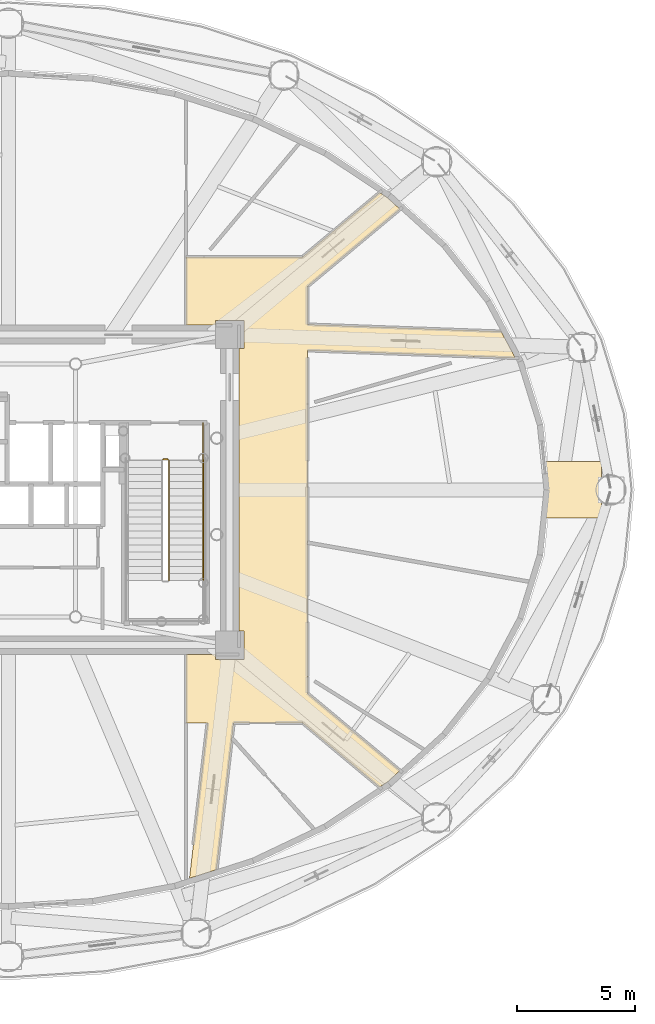
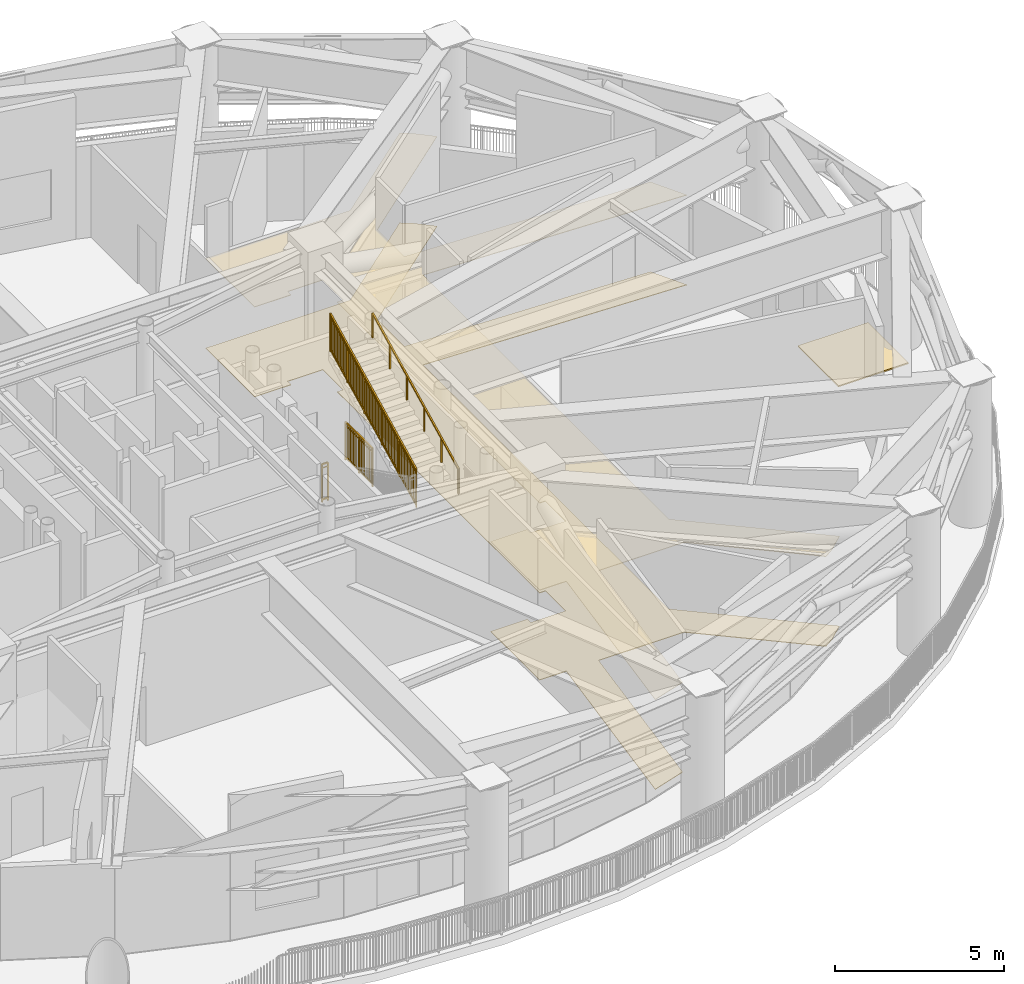
# One storey, part 20 of 20: 4 railings, 3 coverings.
"""IFC4 building model written with IfcOpenShell, lengths in metres."""

from ifc_helpers import new_model, si_unit, direction, frame, origin, origin_2d, place, context, subcontext, project, spatial, polyline, rectangle, outline, extrude, source, transform, mapped, material, layer, layer_set, type_object, element, save


model = new_model("IFC4")

# Units and contexts
model_context = context("Model", 3, precision=1e-05, world=origin(), true_north=direction((0.0, 1.0)))
body_context = subcontext(model_context, "Body", "Model", "MODEL_VIEW")
ifc_project = project(units=[si_unit("LENGTHUNIT", "METRE"), si_unit("AREAUNIT", "SQUARE_METRE"), si_unit("VOLUMEUNIT", "CUBIC_METRE"), si_unit("PLANEANGLEUNIT", "RADIAN"), si_unit("MASSUNIT", "GRAM", prefix="KILO")], contexts=[model_context])

# Site, building, storey
site_placement = place(None, origin())
site = spatial("IfcSite", under=ifc_project, at=site_placement, CompositionType="ELEMENT")
building_placement = place(site_placement, origin())
building = spatial("IfcBuilding", under=site, at=building_placement, Name="Linh Dai School and Residence Tower", CompositionType="ELEMENT")
storey_placement = place(building_placement, frame((0.0, 0.0, 204.89990234375)))
storey = spatial("IfcBuildingStorey", under=building, at=storey_placement, Name="L50", CompositionType="ELEMENT", Elevation=204.89990234375)

# Coverings
ifc_material_1 = material(Name="Mineral Fibre Acoustic Suspended Ceiling", Category="masonry")
ifc_layer_1 = layer(ifc_material_1, 0.02001953125)
ifc_layer_set_1 = layer_set([ifc_layer_1], Name="Mineral Fibre Acoustic Suspended Ceiling")
covering_type_1 = type_object("IfcCoveringType", Name="COV-CEIL-AC-20", PredefinedType="CEILING", material=ifc_layer_set_1)
covering_1_placement = place(storey_placement, frame((0.0, 0.0, 3.25)))
element("IfcCovering", 1, at=covering_1_placement, inside=storey, type_object=covering_type_1, Name="L50 Plant and Refuge Access Corridor East Suspended Ceiling", PredefinedType="CEILING", context=body_context, shape_type="SweptSolid", body=[
    extrude(outline(polyline([(45.569091796875, 17.10009765625), (44.842041015625, 10.86181640625), (43.69140625, 10.4921875), (44.461669921875, 17.10009765625), (43.550048828125, 17.10009765625), (43.550048828125, 20.0), (44.800048828125, 20.0), (44.800048828125, 19.800048828125), (46.0, 19.800048828125), (46.0, 21.0), (45.800048828125, 21.0), (45.800048828125, 33.0), (46.0, 33.0), (46.0, 34.199951171875), (44.800048828125, 34.199951171875), (44.800048828125, 34.0), (43.550048828125, 34.0), (43.550048828125, 36.89990234375), (48.493896484375, 36.89990234375), (51.77001953125, 39.635498046875), (52.1103515625, 39.41015625), (52.640380859375, 38.92919921875), (48.699951171875, 35.638916015625), (48.699951171875, 34.02978515625), (56.9404296875, 33.729248046875), (57.540283203125, 32.606689453125), (48.699951171875, 32.92919921875), (48.699951171875, 18.361083984375), (52.640380859375, 15.07080078125), (52.1103515625, 14.58984375), (51.77001953125, 14.364501953125), (48.493896484375, 17.10009765625), (45.569091796875, 17.10009765625)])), origin(), (0.0, 0.0, 1.0), 0.02001953125),
])
ifc_material_2 = material(Name="Polished Terrazzo Floor Finish", Category="masonry")
ifc_layer_2 = layer(ifc_material_2, 0.02490234375)
ifc_layer_set_2 = layer_set([ifc_layer_2], Name="Polished Terrazzo Floor Finish")
covering_type_2 = type_object("IfcCoveringType", Name="COV-FLR-TRZ-25", PredefinedType="FLOORING", material=ifc_layer_set_2)
covering_2_placement = place(storey_placement, origin())
element("IfcCovering", 2, at=covering_2_placement, inside=storey, type_object=covering_type_2, Name="L50 Plant and Refuge Access Corridor East Floor Finish", PredefinedType="FLOORING", context=body_context, shape_type="SweptSolid", body=[
    extrude(outline(polyline([(45.569091796875, 17.10009765625), (44.842041015625, 10.86181640625), (43.69140625, 10.4921875), (44.461669921875, 17.10009765625), (43.550048828125, 17.10009765625), (43.550048828125, 20.0), (44.800048828125, 20.0), (44.800048828125, 19.800048828125), (46.0, 19.800048828125), (46.0, 21.0), (45.800048828125, 21.0), (45.800048828125, 33.0), (46.0, 33.0), (46.0, 34.199951171875), (44.800048828125, 34.199951171875), (44.800048828125, 34.0), (43.550048828125, 34.0), (43.550048828125, 36.89990234375), (48.493896484375, 36.89990234375), (51.77001953125, 39.635498046875), (52.1103515625, 39.41015625), (52.640380859375, 38.92919921875), (48.699951171875, 35.638916015625), (48.699951171875, 34.02978515625), (56.9404296875, 33.729248046875), (57.540283203125, 32.606689453125), (48.699951171875, 32.92919921875), (48.699951171875, 18.361083984375), (52.640380859375, 15.07080078125), (52.1103515625, 14.58984375), (51.77001953125, 14.364501953125), (48.493896484375, 17.10009765625), (45.569091796875, 17.10009765625)])), origin(), (0.0, 0.0, 1.0), 0.02001953125),
])
ifc_material_3 = material(Name="TPO Insulated Waterproofing Roof Membrane", Category="masonry")
ifc_layer_3 = layer(ifc_material_3, 0.044921875)
ifc_layer_set_3 = layer_set([ifc_layer_3], Name="TPO Insulated Waterproofing Roof Membrane")
covering_type_3 = type_object("IfcCoveringType", Name="COV-ROOF-MEM-45", PredefinedType="ROOFING", material=ifc_layer_set_3)
covering_3_placement = place(storey_placement, origin())
element("IfcCovering", 3, at=covering_3_placement, inside=storey, type_object=covering_type_3, Name="L50 Deck Waterproofing Membrane Zone", PredefinedType="ROOFING", context=body_context, shape_type="SweptSolid", body=[
    extrude(outline(polyline([(58.800048828125, 25.800048828125), (61.199951171875, 25.800048828125), (61.199951171875, 28.199951171875), (58.800048828125, 28.199951171875), (58.800048828125, 25.800048828125)])), origin(), (0.0, 0.0, 1.0), 0.045166015625),
])

# Railings
ifc_material_4 = material(Name="Structural Steel S355JR", Category="steel")
railing_type_1 = type_object("IfcRailingType", Name="RL-ST-GUARD-1400", PredefinedType="GUARDRAIL", material=ifc_material_4)
shared_shape_1 = source(origin(), body_context, "Body", "SweptSolid", [
    extrude(rectangle(XDim=0.048095703125, YDim=0.048095703125, at=origin_2d()), frame((0.0, 0.0, 1.3759765625), z_axis=(0.0, 0.894427191, 0.4472135955), x_axis=(-1.0, 0.0, 0.0)), (0.0, 0.0, 1.0), 5.7021484375),
    extrude(rectangle(XDim=0.048095703125, YDim=0.048095703125, at=origin_2d()), frame((0.0, 0.0, 0.10009765625), z_axis=(0.0, 0.894427191, 0.4472135955), x_axis=(-1.0, 0.0, 0.0)), (0.0, 0.0, 1.0), 5.7021484375),
    extrude(rectangle(XDim=0.030029296875, YDim=0.030029296875, at=origin_2d()), frame((0.0, 0.0, 1.239990234375), z_axis=(0.0, 0.894427191, 0.4472135955), x_axis=(-1.0, 0.0, 0.0)), (0.0, 0.0, 1.0), 5.7021484375),
    extrude(rectangle(XDim=0.02001953125, YDim=0.02001953125, at=origin_2d()), frame((0.0, 0.08642578125, 0.143310546875)), (0.0, 0.0, 1.0), 1.251708984375),
    extrude(rectangle(XDim=0.02001953125, YDim=0.02001953125, at=origin_2d()), frame((0.0, 0.1728515625, 0.1865234375)), (0.0, 0.0, 1.0), 1.251708984375),
    extrude(rectangle(XDim=0.02001953125, YDim=0.02001953125, at=origin_2d()), frame((0.0, 0.25927734375, 0.229736328125)), (0.0, 0.0, 1.0), 1.251708984375),
    extrude(rectangle(XDim=0.02001953125, YDim=0.02001953125, at=origin_2d()), frame((0.0, 0.345703125, 0.27294921875)), (0.0, 0.0, 1.0), 1.251708984375),
    extrude(rectangle(XDim=0.02001953125, YDim=0.02001953125, at=origin_2d()), frame((0.0, 0.43212890625, 0.316162109375)), (0.0, 0.0, 1.0), 1.251708984375),
    extrude(rectangle(XDim=0.02001953125, YDim=0.02001953125, at=origin_2d()), frame((0.0, 0.5185546875, 0.359375)), (0.0, 0.0, 1.0), 1.251708984375),
    extrude(rectangle(XDim=0.02001953125, YDim=0.02001953125, at=origin_2d()), frame((0.0, 0.60498046875, 0.402587890625)), (0.0, 0.0, 1.0), 1.251708984375),
    extrude(rectangle(XDim=0.02001953125, YDim=0.02001953125, at=origin_2d()), frame((0.0, 0.691650390625, 0.44580078125)), (0.0, 0.0, 1.0), 1.251708984375),
    extrude(rectangle(XDim=0.02001953125, YDim=0.02001953125, at=origin_2d()), frame((0.0, 0.778076171875, 0.489013671875)), (0.0, 0.0, 1.0), 1.251708984375),
    extrude(rectangle(XDim=0.02001953125, YDim=0.02001953125, at=origin_2d()), frame((0.0, 0.864501953125, 0.5322265625)), (0.0, 0.0, 1.0), 1.251708984375),
    extrude(rectangle(XDim=0.02001953125, YDim=0.02001953125, at=origin_2d()), frame((0.0, 0.950927734375, 0.575439453125)), (0.0, 0.0, 1.0), 1.251708984375),
    extrude(rectangle(XDim=0.02001953125, YDim=0.02001953125, at=origin_2d()), frame((0.0, 1.123779296875, 0.661865234375)), (0.0, 0.0, 1.0), 1.251708984375),
    extrude(rectangle(XDim=0.02001953125, YDim=0.02001953125, at=origin_2d()), frame((0.0, 1.210205078125, 0.705078125)), (0.0, 0.0, 1.0), 1.251708984375),
    extrude(rectangle(XDim=0.02001953125, YDim=0.02001953125, at=origin_2d()), frame((0.0, 1.296630859375, 0.74853515625)), (0.0, 0.0, 1.0), 1.251708984375),
    extrude(rectangle(XDim=0.02001953125, YDim=0.02001953125, at=origin_2d()), frame((0.0, 1.383056640625, 0.791748046875)), (0.0, 0.0, 1.0), 1.251708984375),
    extrude(rectangle(XDim=0.02001953125, YDim=0.02001953125, at=origin_2d()), frame((0.0, 1.469482421875, 0.8349609375)), (0.0, 0.0, 1.0), 1.251708984375),
    extrude(rectangle(XDim=0.02001953125, YDim=0.02001953125, at=origin_2d()), frame((0.0, 1.555908203125, 0.878173828125)), (0.0, 0.0, 1.0), 1.251708984375),
    extrude(rectangle(XDim=0.02001953125, YDim=0.02001953125, at=origin_2d()), frame((0.0, 1.642333984375, 0.92138671875)), (0.0, 0.0, 1.0), 1.251708984375),
    extrude(rectangle(XDim=0.02001953125, YDim=0.02001953125, at=origin_2d()), frame((0.0, 1.728759765625, 0.964599609375)), (0.0, 0.0, 1.0), 1.251708984375),
    extrude(rectangle(XDim=0.02001953125, YDim=0.02001953125, at=origin_2d()), frame((0.0, 1.815185546875, 1.0078125)), (0.0, 0.0, 1.0), 1.251708984375),
    extrude(rectangle(XDim=0.02001953125, YDim=0.02001953125, at=origin_2d()), frame((0.0, 1.901611328125, 1.051025390625)), (0.0, 0.0, 1.0), 1.251708984375),
    extrude(rectangle(XDim=0.02001953125, YDim=0.02001953125, at=origin_2d()), frame((0.0, 1.98828125, 1.09423828125)), (0.0, 0.0, 1.0), 1.251708984375),
    extrude(rectangle(XDim=0.02001953125, YDim=0.02001953125, at=origin_2d()), frame((0.0, 2.1611328125, 1.1806640625)), (0.0, 0.0, 1.0), 1.251708984375),
    extrude(rectangle(XDim=0.02001953125, YDim=0.02001953125, at=origin_2d()), frame((0.0, 2.24755859375, 1.223876953125)), (0.0, 0.0, 1.0), 1.251708984375),
    extrude(rectangle(XDim=0.02001953125, YDim=0.02001953125, at=origin_2d()), frame((0.0, 2.333984375, 1.26708984375)), (0.0, 0.0, 1.0), 1.251708984375),
    extrude(rectangle(XDim=0.02001953125, YDim=0.02001953125, at=origin_2d()), frame((0.0, 2.42041015625, 1.310302734375)), (0.0, 0.0, 1.0), 1.251708984375),
    extrude(rectangle(XDim=0.02001953125, YDim=0.02001953125, at=origin_2d()), frame((0.0, 2.5068359375, 1.353515625)), (0.0, 0.0, 1.0), 1.251708984375),
    extrude(rectangle(XDim=0.02001953125, YDim=0.02001953125, at=origin_2d()), frame((0.0, 2.59326171875, 1.396728515625)), (0.0, 0.0, 1.0), 1.251708984375),
    extrude(rectangle(XDim=0.02001953125, YDim=0.02001953125, at=origin_2d()), frame((0.0, 2.6796875, 1.43994140625)), (0.0, 0.0, 1.0), 1.251708984375),
    extrude(rectangle(XDim=0.02001953125, YDim=0.02001953125, at=origin_2d()), frame((0.0, 2.76611328125, 1.483154296875)), (0.0, 0.0, 1.0), 1.251708984375),
    extrude(rectangle(XDim=0.02001953125, YDim=0.02001953125, at=origin_2d()), frame((0.0, 2.8525390625, 1.5263671875)), (0.0, 0.0, 1.0), 1.251708984375),
    extrude(rectangle(XDim=0.02001953125, YDim=0.02001953125, at=origin_2d()), frame((0.0, 2.93896484375, 1.569580078125)), (0.0, 0.0, 1.0), 1.251708984375),
    extrude(rectangle(XDim=0.02001953125, YDim=0.02001953125, at=origin_2d()), frame((0.0, 3.11181640625, 1.656005859375)), (0.0, 0.0, 1.0), 1.251708984375),
    extrude(rectangle(XDim=0.02001953125, YDim=0.02001953125, at=origin_2d()), frame((0.0, 3.198486328125, 1.69921875)), (0.0, 0.0, 1.0), 1.251708984375),
    extrude(rectangle(XDim=0.02001953125, YDim=0.02001953125, at=origin_2d()), frame((0.0, 3.284912109375, 1.742431640625)), (0.0, 0.0, 1.0), 1.251708984375),
    extrude(rectangle(XDim=0.02001953125, YDim=0.02001953125, at=origin_2d()), frame((0.0, 3.371337890625, 1.78564453125)), (0.0, 0.0, 1.0), 1.251708984375),
    extrude(rectangle(XDim=0.02001953125, YDim=0.02001953125, at=origin_2d()), frame((0.0, 3.457763671875, 1.828857421875)), (0.0, 0.0, 1.0), 1.251708984375),
    extrude(rectangle(XDim=0.02001953125, YDim=0.02001953125, at=origin_2d()), frame((0.0, 3.544189453125, 1.8720703125)), (0.0, 0.0, 1.0), 1.251708984375),
    extrude(rectangle(XDim=0.02001953125, YDim=0.02001953125, at=origin_2d()), frame((0.0, 3.630615234375, 1.915283203125)), (0.0, 0.0, 1.0), 1.251708984375),
    extrude(rectangle(XDim=0.02001953125, YDim=0.02001953125, at=origin_2d()), frame((0.0, 3.717041015625, 1.95849609375)), (0.0, 0.0, 1.0), 1.251708984375),
    extrude(rectangle(XDim=0.02001953125, YDim=0.02001953125, at=origin_2d()), frame((0.0, 3.803466796875, 2.001708984375)), (0.0, 0.0, 1.0), 1.251708984375),
    extrude(rectangle(XDim=0.02001953125, YDim=0.02001953125, at=origin_2d()), frame((0.0, 3.889892578125, 2.045166015625)), (0.0, 0.0, 1.0), 1.251708984375),
    extrude(rectangle(XDim=0.02001953125, YDim=0.02001953125, at=origin_2d()), frame((0.0, 3.976318359375, 2.08837890625)), (0.0, 0.0, 1.0), 1.251708984375),
    extrude(rectangle(XDim=0.02001953125, YDim=0.02001953125, at=origin_2d()), frame((0.0, 4.149169921875, 2.1748046875)), (0.0, 0.0, 1.0), 1.251708984375),
    extrude(rectangle(XDim=0.02001953125, YDim=0.02001953125, at=origin_2d()), frame((0.0, 4.235595703125, 2.218017578125)), (0.0, 0.0, 1.0), 1.251708984375),
    extrude(rectangle(XDim=0.02001953125, YDim=0.02001953125, at=origin_2d()), frame((0.0, 4.322021484375, 2.26123046875)), (0.0, 0.0, 1.0), 1.251708984375),
    extrude(rectangle(XDim=0.02001953125, YDim=0.02001953125, at=origin_2d()), frame((0.0, 4.408447265625, 2.304443359375)), (0.0, 0.0, 1.0), 1.251708984375),
    extrude(rectangle(XDim=0.02001953125, YDim=0.02001953125, at=origin_2d()), frame((0.0, 4.4951171875, 2.34765625)), (0.0, 0.0, 1.0), 1.251708984375),
    extrude(rectangle(XDim=0.02001953125, YDim=0.02001953125, at=origin_2d()), frame((0.0, 4.58154296875, 2.390869140625)), (0.0, 0.0, 1.0), 1.251708984375),
    extrude(rectangle(XDim=0.02001953125, YDim=0.02001953125, at=origin_2d()), frame((0.0, 4.66796875, 2.43408203125)), (0.0, 0.0, 1.0), 1.251708984375),
    extrude(rectangle(XDim=0.02001953125, YDim=0.02001953125, at=origin_2d()), frame((0.0, 4.75439453125, 2.477294921875)), (0.0, 0.0, 1.0), 1.251708984375),
    extrude(rectangle(XDim=0.02001953125, YDim=0.02001953125, at=origin_2d()), frame((0.0, 4.8408203125, 2.5205078125)), (0.0, 0.0, 1.0), 1.251708984375),
    extrude(rectangle(XDim=0.02001953125, YDim=0.02001953125, at=origin_2d()), frame((0.0, 4.92724609375, 2.563720703125)), (0.0, 0.0, 1.0), 1.251708984375),
    extrude(rectangle(XDim=0.02001953125, YDim=0.02001953125, at=origin_2d()), frame((0.0, 5.013671875, 2.60693359375)), (0.0, 0.0, 1.0), 1.251708984375),
    extrude(rectangle(XDim=0.0419921875, YDim=0.0419921875, at=origin_2d()), origin(), (0.0, 0.0, 1.0), 1.3759765625),
    extrude(rectangle(XDim=0.0419921875, YDim=0.0419921875, at=origin_2d()), frame((0.0, 1.02001953125, 0.510009765625)), (0.0, 0.0, 1.0), 1.3759765625),
    extrude(rectangle(XDim=0.0419921875, YDim=0.0419921875, at=origin_2d()), frame((0.0, 2.0400390625, 1.02001953125)), (0.0, 0.0, 1.0), 1.3759765625),
    extrude(rectangle(XDim=0.0419921875, YDim=0.0419921875, at=origin_2d()), frame((0.0, 3.06005859375, 1.530029296875)), (0.0, 0.0, 1.0), 1.3759765625),
    extrude(rectangle(XDim=0.0419921875, YDim=0.0419921875, at=origin_2d()), frame((0.0, 4.080078125, 2.0400390625)), (0.0, 0.0, 1.0), 1.3759765625),
    extrude(rectangle(XDim=0.0419921875, YDim=0.0419921875, at=origin_2d()), frame((0.0, 5.10009765625, 2.550048828125)), (0.0, 0.0, 1.0), 1.3759765625),
])
railing_1_placement = place(storey_placement, frame((42.820068359375, 23.14990234375, 2.85009765625)))
element("IfcRailing", 4, at=railing_1_placement, inside=storey, type_object=railing_type_1, Name="L50 ST2 stair guard 6", PredefinedType="GUARDRAIL", context=body_context, shape_type="MappedRepresentation", body=[
    mapped(shared_shape_1, transform((0.0, 0.0, 0.0), x_axis=(1.0, 0.0, 0.0), y_axis=(0.0, 1.0, 0.0), z_axis=(0.0, 0.0, 1.0), scale=1.0)),
])
ifc_material_5 = material(Name="Brushed Stainless Steel Handrail", Category="steel")
railing_type_2 = type_object("IfcRailingType", Name="RL-ST-HANDRAIL-900", PredefinedType="HANDRAIL", material=ifc_material_5)
shared_shape_2 = source(origin(), body_context, "Body", "SweptSolid", [
    extrude(rectangle(XDim=0.048095703125, YDim=0.048095703125, at=origin_2d()), frame((0.0, 0.0, 0.8759765625), z_axis=(0.0, 0.894427191, 0.4472135955), x_axis=(-1.0, 0.0, 0.0)), (0.0, 0.0, 1.0), 5.7021484375),
    extrude(rectangle(XDim=0.0419921875, YDim=0.0419921875, at=origin_2d()), origin(), (0.0, 0.0, 1.0), 0.8759765625),
    extrude(rectangle(XDim=0.0419921875, YDim=0.0419921875, at=origin_2d()), frame((0.0, 1.02001953125, 0.510009765625)), (0.0, 0.0, 1.0), 0.8759765625),
    extrude(rectangle(XDim=0.0419921875, YDim=0.0419921875, at=origin_2d()), frame((0.0, 2.0400390625, 1.02001953125)), (0.0, 0.0, 1.0), 0.8759765625),
    extrude(rectangle(XDim=0.0419921875, YDim=0.0419921875, at=origin_2d()), frame((0.0, 3.06005859375, 1.530029296875)), (0.0, 0.0, 1.0), 0.8759765625),
    extrude(rectangle(XDim=0.0419921875, YDim=0.0419921875, at=origin_2d()), frame((0.0, 4.080078125, 2.0400390625)), (0.0, 0.0, 1.0), 0.8759765625),
    extrude(rectangle(XDim=0.0419921875, YDim=0.0419921875, at=origin_2d()), frame((0.0, 5.10009765625, 2.550048828125)), (0.0, 0.0, 1.0), 0.8759765625),
])
railing_2_placement = place(storey_placement, frame((44.27001953125, 23.14990234375, 2.85009765625)))
element("IfcRailing", 5, at=railing_2_placement, inside=storey, type_object=railing_type_2, Name="L50 ST2 stair handrail 2", PredefinedType="HANDRAIL", context=body_context, shape_type="MappedRepresentation", body=[
    mapped(shared_shape_2, transform((0.0, 0.0, 0.0), x_axis=(1.0, 0.0, 0.0), y_axis=(0.0, 1.0, 0.0), z_axis=(0.0, 0.0, 1.0), scale=1.0)),
])
shared_shape_3 = source(origin(), body_context, "Body", "SweptSolid", [
    extrude(rectangle(XDim=0.048095703125, YDim=0.048095703125, at=origin_2d()), frame((0.0, 0.0, 1.3759765625), z_axis=(1.0, 0.0, 0.0), x_axis=(0.0, 1.0, 0.0)), (0.0, 0.0, 1.0), 0.199951171875),
    extrude(rectangle(XDim=0.048095703125, YDim=0.048095703125, at=origin_2d()), frame((0.0, 0.0, 0.10009765625), z_axis=(1.0, 0.0, 0.0), x_axis=(0.0, 1.0, 0.0)), (0.0, 0.0, 1.0), 0.199951171875),
    extrude(rectangle(XDim=0.030029296875, YDim=0.030029296875, at=origin_2d()), frame((0.0, 0.0, 1.239990234375), z_axis=(1.0, 0.0, 0.0), x_axis=(0.0, 1.0, 0.0)), (0.0, 0.0, 1.0), 0.199951171875),
    extrude(rectangle(XDim=0.0419921875, YDim=0.0419921875, at=origin_2d()), origin(), (0.0, 0.0, 1.0), 1.3759765625),
    extrude(rectangle(XDim=0.0419921875, YDim=0.0419921875, at=origin_2d()), frame((0.199951171875, 0.0, 0.0)), (0.0, 0.0, 1.0), 1.3759765625),
])
railing_3_placement = place(storey_placement, frame((42.570068359375, 28.300048828125, 0.0)))
element("IfcRailing", 6, at=railing_3_placement, inside=storey, type_object=railing_type_1, Name="L50 ST2 stair guard 7", PredefinedType="GUARDRAIL", context=body_context, shape_type="MappedRepresentation", body=[
    mapped(shared_shape_3, transform((0.0, 0.0, 0.0), x_axis=(1.0, 0.0, 0.0), y_axis=(0.0, 1.0, 0.0), z_axis=(0.0, 0.0, 1.0), scale=1.0)),
])
shared_shape_4 = source(origin(), body_context, "Body", "SweptSolid", [
    extrude(rectangle(XDim=0.048095703125, YDim=0.048095703125, at=origin_2d()), frame((0.0, 0.0, 1.3759765625), z_axis=(0.0, -1.0, 0.0), x_axis=(1.0, 0.0, 0.0)), (0.0, 0.0, 1.0), 1.60009765625),
    extrude(rectangle(XDim=0.048095703125, YDim=0.048095703125, at=origin_2d()), frame((0.0, 0.0, 0.10009765625), z_axis=(0.0, -1.0, 0.0), x_axis=(1.0, 0.0, 0.0)), (0.0, 0.0, 1.0), 1.60009765625),
    extrude(rectangle(XDim=0.030029296875, YDim=0.030029296875, at=origin_2d()), frame((0.0, 0.0, 1.239990234375), z_axis=(0.0, -1.0, 0.0), x_axis=(1.0, 0.0, 0.0)), (0.0, 0.0, 1.0), 1.60009765625),
    extrude(rectangle(XDim=0.02001953125, YDim=0.02001953125, at=origin_2d()), frame((0.0, -0.09423828125, 0.10009765625)), (0.0, 0.0, 1.0), 1.251708984375),
    extrude(rectangle(XDim=0.02001953125, YDim=0.02001953125, at=origin_2d()), frame((0.0, -0.188232421875, 0.10009765625)), (0.0, 0.0, 1.0), 1.251708984375),
    extrude(rectangle(XDim=0.02001953125, YDim=0.02001953125, at=origin_2d()), frame((0.0, -0.282470703125, 0.10009765625)), (0.0, 0.0, 1.0), 1.251708984375),
    extrude(rectangle(XDim=0.02001953125, YDim=0.02001953125, at=origin_2d()), frame((0.0, -0.37646484375, 0.10009765625)), (0.0, 0.0, 1.0), 1.251708984375),
    extrude(rectangle(XDim=0.02001953125, YDim=0.02001953125, at=origin_2d()), frame((0.0, -0.470703125, 0.10009765625)), (0.0, 0.0, 1.0), 1.251708984375),
    extrude(rectangle(XDim=0.02001953125, YDim=0.02001953125, at=origin_2d()), frame((0.0, -0.564697265625, 0.10009765625)), (0.0, 0.0, 1.0), 1.251708984375),
    extrude(rectangle(XDim=0.02001953125, YDim=0.02001953125, at=origin_2d()), frame((0.0, -0.658935546875, 0.10009765625)), (0.0, 0.0, 1.0), 1.251708984375),
    extrude(rectangle(XDim=0.02001953125, YDim=0.02001953125, at=origin_2d()), frame((0.0, -0.7529296875, 0.10009765625)), (0.0, 0.0, 1.0), 1.251708984375),
    extrude(rectangle(XDim=0.02001953125, YDim=0.02001953125, at=origin_2d()), frame((0.0, -0.84716796875, 0.10009765625)), (0.0, 0.0, 1.0), 1.251708984375),
    extrude(rectangle(XDim=0.02001953125, YDim=0.02001953125, at=origin_2d()), frame((0.0, -0.941162109375, 0.10009765625)), (0.0, 0.0, 1.0), 1.251708984375),
    extrude(rectangle(XDim=0.02001953125, YDim=0.02001953125, at=origin_2d()), frame((0.0, -1.035400390625, 0.10009765625)), (0.0, 0.0, 1.0), 1.251708984375),
    extrude(rectangle(XDim=0.02001953125, YDim=0.02001953125, at=origin_2d()), frame((0.0, -1.12939453125, 0.10009765625)), (0.0, 0.0, 1.0), 1.251708984375),
    extrude(rectangle(XDim=0.02001953125, YDim=0.02001953125, at=origin_2d()), frame((0.0, -1.2236328125, 0.10009765625)), (0.0, 0.0, 1.0), 1.251708984375),
    extrude(rectangle(XDim=0.02001953125, YDim=0.02001953125, at=origin_2d()), frame((0.0, -1.317626953125, 0.10009765625)), (0.0, 0.0, 1.0), 1.251708984375),
    extrude(rectangle(XDim=0.02001953125, YDim=0.02001953125, at=origin_2d()), frame((0.0, -1.411865234375, 0.10009765625)), (0.0, 0.0, 1.0), 1.251708984375),
    extrude(rectangle(XDim=0.02001953125, YDim=0.02001953125, at=origin_2d()), frame((0.0, -1.505859375, 0.10009765625)), (0.0, 0.0, 1.0), 1.251708984375),
    extrude(rectangle(XDim=0.0419921875, YDim=0.0419921875, at=origin_2d()), origin(), (0.0, 0.0, 1.0), 1.3759765625),
    extrude(rectangle(XDim=0.0419921875, YDim=0.0419921875, at=origin_2d()), frame((0.0, -0.800048828125, 0.0)), (0.0, 0.0, 1.0), 1.3759765625),
    extrude(rectangle(XDim=0.0419921875, YDim=0.0419921875, at=origin_2d()), frame((0.0, -1.60009765625, 0.0)), (0.0, 0.0, 1.0), 1.3759765625),
])
railing_4_placement = place(storey_placement, frame((44.27001953125, 29.85009765625, 0.0)))
element("IfcRailing", 7, at=railing_4_placement, inside=storey, type_object=railing_type_1, Name="L50 ST2 stair guard 9", PredefinedType="GUARDRAIL", context=body_context, shape_type="MappedRepresentation", body=[
    mapped(shared_shape_4, transform((0.0, 0.0, 0.0), x_axis=(1.0, 0.0, 0.0), y_axis=(0.0, 1.0, 0.0), z_axis=(0.0, 0.0, 1.0), scale=1.0)),
])

save(model, "model.ifc")
